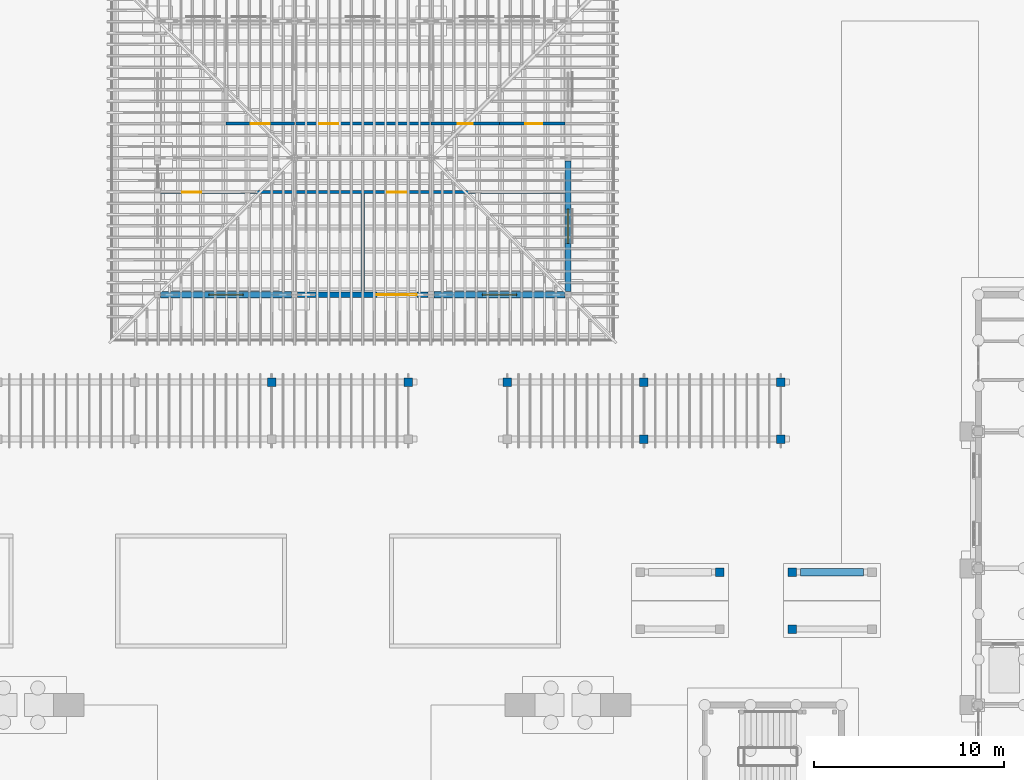
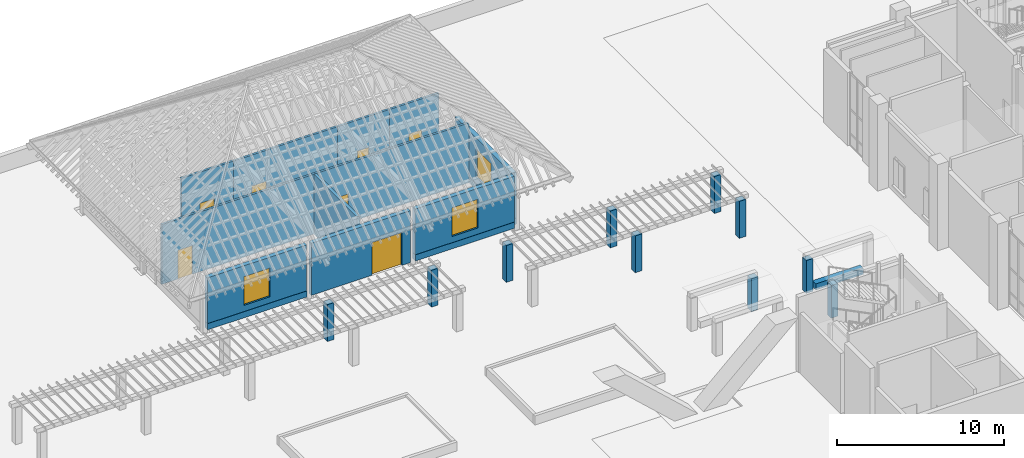
# One storey, part 40 of 84: 25 walls, 7 doors, 3 windows, 10 openings.
"""IFC4 building model written with IfcOpenShell, lengths in metres."""

from ifc_helpers import new_model, si_unit, direction, frame, frame_2d, origin, place, context, subcontext, project, spatial, rectangle, extrude, material, layer, layer_set, type_object, element, fill, save


model = new_model("IFC4")

# Units and contexts
model_context = context("Model", 3, precision=1e-05, world=origin(), true_north=direction((0.0, 1.0)))
body_context = subcontext(model_context, "Body", "Model", "MODEL_VIEW")
ifc_project = project(units=[si_unit("LENGTHUNIT", "METRE"), si_unit("AREAUNIT", "SQUARE_METRE"), si_unit("VOLUMEUNIT", "CUBIC_METRE"), si_unit("PLANEANGLEUNIT", "RADIAN"), si_unit("MASSUNIT", "GRAM", prefix="KILO")], contexts=[model_context])

# Site, building, storey
site_placement = place(None, origin())
site = spatial("IfcSite", under=ifc_project, at=site_placement, CompositionType="ELEMENT")
building_placement = place(site_placement, origin())
building = spatial("IfcBuilding", under=site, at=building_placement, Name="Mazhai Court Health Centre", CompositionType="ELEMENT")
storey_placement = place(building_placement, origin())
storey = spatial("IfcBuildingStorey", under=building, at=storey_placement, Name="L00", CompositionType="ELEMENT", Elevation=0.0)

# Walls
ifc_material_1 = material(Name="Clay brick masonry", Category="masonry")
ifc_layer_1 = layer(ifc_material_1, 0.449951171875)
ifc_layer_set_1 = layer_set([ifc_layer_1], Name="BRICK GARDEN PIER 450")
wall_type_1 = type_object("IfcWallType", Name="BRICK GARDEN PIER 450", PredefinedType="SOLIDWALL", material=ifc_layer_set_1)
wall_1_placement = place(storey_placement, frame((121.97509765625, 34.800048828125, 0.0), z_axis=(0.0, 0.0, 1.0), x_axis=(1.0, 0.0, 0.0)))
element("IfcWall", 1, at=wall_1_placement, inside=storey, type_object=wall_type_1, Name="Shelter A pier 11", PredefinedType="SOLIDWALL", context=body_context, shape_type="SweptSolid", body=[
    extrude(rectangle(XDim=0.449951171875, YDim=0.449951171875, at=frame_2d((0.22509765625, 0.0))), origin(), (0.0, 0.0, 1.0), 2.39990234375),
])
for number, where, z_axis, x_axis, name in (
    (2, (125.77490234375, 31.800048828125, 0.0), (0.0, 0.0, 1.0), (1.0, 0.0, 0.0), "Shelter B pier 00"),
    (3, (125.77490234375, 34.800048828125, 0.0), (0.0, 0.0, 1.0), (1.0, 0.0, 0.0), "Shelter B pier 10"),
):
    element("IfcWall", number, at=place(storey_placement, frame(where, z_axis=z_axis, x_axis=x_axis)), inside=storey, type_object=wall_type_1, Name=name, PredefinedType="SOLIDWALL", context=body_context, shape_type="SweptSolid", body=[
        extrude(rectangle(XDim=0.4501953125, YDim=0.449951171875, at=frame_2d((0.22509765625, 0.0))), origin(), (0.0, 0.0, 1.0), 2.39990234375),
    ])
for number, where, z_axis, x_axis, name in (
    (4, (98.375, 44.800048828125, 0.0), (0.0, 0.0, 1.0), (1.0, 0.0, 0.0), "Garden pier A13"),
    (5, (105.574951171875, 44.800048828125, 0.0), (0.0, 0.0, 1.0), (1.0, 0.0, 0.0), "Garden pier A14"),
    (6, (117.97509765625, 41.800048828125, 0.0), (0.0, 0.0, 1.0), (1.0, 0.0, 0.0), "Garden pier B01"),
    (7, (125.175048828125, 41.800048828125, 0.0), (0.0, 0.0, 1.0), (1.0, 0.0, 0.0), "Garden pier B02"),
):
    element("IfcWall", number, at=place(storey_placement, frame(where, z_axis=z_axis, x_axis=x_axis)), inside=storey, type_object=wall_type_1, Name=name, PredefinedType="SOLIDWALL", context=body_context, shape_type="SweptSolid", body=[
        extrude(rectangle(XDim=0.449951171875, YDim=0.449951171875, at=frame_2d((0.22509765625, 0.0))), origin(), (0.0, 0.0, 1.0), 2.699951171875),
    ])
wall_2_placement = place(storey_placement, frame((110.77490234375, 44.800048828125, 0.0), z_axis=(0.0, 0.0, 1.0), x_axis=(1.0, 0.0, 0.0)))
element("IfcWall", 8, at=wall_2_placement, inside=storey, type_object=wall_type_1, Name="Garden pier B10", PredefinedType="SOLIDWALL", context=body_context, shape_type="SweptSolid", body=[
    extrude(rectangle(XDim=0.4501953125, YDim=0.449951171875, at=frame_2d((0.22509765625, 0.0))), origin(), (0.0, 0.0, 1.0), 2.699951171875),
])
for number, where, z_axis, x_axis, name in (
    (9, (117.97509765625, 44.800048828125, 0.0), (0.0, 0.0, 1.0), (1.0, 0.0, 0.0), "Garden pier B11"),
    (10, (125.175048828125, 44.800048828125, 0.0), (0.0, 0.0, 1.0), (1.0, 0.0, 0.0), "Garden pier B12"),
):
    element("IfcWall", number, at=place(storey_placement, frame(where, z_axis=z_axis, x_axis=x_axis)), inside=storey, type_object=wall_type_1, Name=name, PredefinedType="SOLIDWALL", context=body_context, shape_type="SweptSolid", body=[
        extrude(rectangle(XDim=0.449951171875, YDim=0.449951171875, at=frame_2d((0.22509765625, 0.0))), origin(), (0.0, 0.0, 1.0), 2.699951171875),
    ])
ifc_material_2 = material(Name="Clay brick masonry", Category="masonry")
ifc_layer_2 = layer(ifc_material_2, 0.330078125)
ifc_layer_set_2 = layer_set([ifc_layer_2], Name="BRICK PLINTH 330")
wall_type_2 = type_object("IfcWallType", Name="BRICK PLINTH 330", PredefinedType="SOLIDWALL", material=ifc_layer_set_2)
wall_3_placement = place(storey_placement, frame((99.639892578125, 49.39990234375, 0.0), z_axis=(0.0, 0.0, 1.0), x_axis=(-1.0, 0.0, 0.0)))
element("IfcWall", 11, at=wall_3_placement, inside=storey, type_object=wall_type_2, Name="EW-V3-S0-pl", PredefinedType="SOLIDWALL", context=body_context, shape_type="SweptSolid", body=[
    extrude(rectangle(XDim=6.8798828125, YDim=0.330078125, at=frame_2d((3.43994140625, 0.0))), origin(), (0.0, 0.0, 1.0), 0.449951171875),
])
wall_4_placement = place(storey_placement, frame((114.0400390625, 49.39990234375, 0.0), z_axis=(0.0, 0.0, 1.0), x_axis=(-1.0, 0.0, 0.0)))
element("IfcWall", 12, at=wall_4_placement, inside=storey, type_object=wall_type_2, Name="EW-V3-S2-pl", PredefinedType="SOLIDWALL", context=body_context, shape_type="SweptSolid", body=[
    extrude(rectangle(XDim=6.880126953125, YDim=0.330078125, at=frame_2d((3.43994140625, 0.0))), origin(), (0.0, 0.0, 1.0), 0.449951171875),
])
wall_5_placement = place(storey_placement, frame((114.199951171875, 56.43994140625, 0.0), z_axis=(0.0, 0.0, 1.0), x_axis=(0.0, -1.0, 0.0)))
element("IfcWall", 13, at=wall_5_placement, inside=storey, type_object=wall_type_2, Name="EW-V3-E0-pl", PredefinedType="SOLIDWALL", context=body_context, shape_type="SweptSolid", body=[
    extrude(rectangle(XDim=6.8798828125, YDim=0.330078125, at=frame_2d((3.43994140625, 0.0))), origin(), (0.0, 0.0, 1.0), 0.449951171875),
])
ifc_material_3 = material(Name="Clay brick masonry", Category="masonry")
ifc_layer_3 = layer(ifc_material_3, 0.39990234375)
ifc_layer_set_3 = layer_set([ifc_layer_3], Name="BRICK SEAT WALL 400")
wall_type_3 = type_object("IfcWallType", Name="BRICK SEAT WALL 400", PredefinedType="SOLIDWALL", material=ifc_layer_set_3)
wall_6_placement = place(storey_placement, frame((126.449951171875, 34.800048828125, 0.0), z_axis=(0.0, 0.0, 1.0), x_axis=(1.0, 0.0, 0.0)))
element("IfcWall", 14, at=wall_6_placement, inside=storey, type_object=wall_type_3, Name="Shelter B seat wall", PredefinedType="SOLIDWALL", context=body_context, shape_type="SweptSolid", body=[
    extrude(rectangle(XDim=3.300048828125, YDim=0.39990234375, at=frame_2d((1.64990234375, 0.0))), origin(), (0.0, 0.0, 1.0), 0.449951171875),
])

# Wall, opening, door
ifc_material_4 = material(Name="Gypsum plasterboard partition")
ifc_layer_4 = layer(ifc_material_4, 0.14990234375)
ifc_layer_set_4 = layer_set([ifc_layer_4], Name="PARTITION 150 CORRIDOR EI60")
wall_type_4 = type_object("IfcWallType", Name="PARTITION 150 CORRIDOR EI60", PredefinedType="PARTITIONING", material=ifc_layer_set_4)
wall_7_placement = place(storey_placement, frame((103.39990234375, 54.800048828125, 0.0), z_axis=(0.0, 0.0, 1.0), x_axis=(-1.0, 0.0, 0.0)))
wall_7 = element("IfcWall", 15, at=wall_7_placement, inside=storey, type_object=wall_type_4, Name="wall-V3-L00-S-corr-0a", PredefinedType="PARTITIONING", context=body_context, shape_type="SweptSolid", body=[
    extrude(rectangle(XDim=10.635009765625, YDim=0.14990234375, at=frame_2d((5.3173828125, 0.0))), origin(), (0.0, 0.0, 1.0), 4.38232421875),
])
opening_1_placement = place(wall_7_placement, frame((8.5, 0.0, 0.0)))
opening_1 = element("IfcOpeningElement", 16, at=opening_1_placement, cuts=wall_7, Name="Opening D-L00-068", PredefinedType="OPENING", context=body_context, shape_type="SweptSolid", body=[
    extrude(rectangle(XDim=1.0, YDim=2.10009765625, at=frame_2d((0.5, 1.050048828125))), frame((0.0, 0.0849609375, 0.0), z_axis=(0.0, -1.0, 0.0), x_axis=(1.0, 0.0, 0.0)), (0.0, 0.0, 1.0), 0.169921875),
])
ifc_material_5 = material(Name="Hardwood door leaf", Category="wood")
door_type_1 = type_object("IfcDoorType", Name="DOOR 1000x2100 FD30S SINGLE", OperationType="NOTDEFINED", PredefinedType="DOOR", material=ifc_material_5)
door_1_placement = place(opening_1_placement, origin())
door_1 = element("IfcDoor", 17, at=door_1_placement, inside=storey, type_object=door_type_1, Name="door-V3-L00-S-group-therapy-room", OperationType="SINGLE_SWING_RIGHT", OverallHeight=2.10009765625, OverallWidth=1.0, PredefinedType="DOOR", context=body_context, shape_type="SweptSolid", body=[
    extrude(rectangle(XDim=1.0, YDim=2.10009765625, at=frame_2d((0.5, 1.050048828125))), frame((0.0, 0.02490234375, 0.0), z_axis=(0.0, -1.0, 0.0), x_axis=(1.0, 0.0, 0.0)), (0.0, 0.0, 1.0), 0.050048828125),
])
fill(opening_1, door_1)

wall_8_placement = place(storey_placement, frame((114.034912109375, 54.800048828125, 0.0), z_axis=(0.0, 0.0, 1.0), x_axis=(-1.0, 0.0, 0.0)))
wall_8 = element("IfcWall", 18, at=wall_8_placement, inside=storey, type_object=wall_type_4, Name="wall-V3-L00-S-corr-1a", PredefinedType="PARTITIONING", context=body_context, shape_type="SweptSolid", body=[
    extrude(rectangle(XDim=10.635009765625, YDim=0.14990234375, at=frame_2d((5.3173828125, 0.0))), origin(), (0.0, 0.0, 1.0), 4.38232421875),
])
opening_2_placement = place(wall_8_placement, frame((8.3349609375, 0.0, 0.0)))
opening_2 = element("IfcOpeningElement", 19, at=opening_2_placement, cuts=wall_8, Name="Opening D-L00-073", PredefinedType="OPENING", context=body_context, shape_type="SweptSolid", body=[
    extrude(rectangle(XDim=1.0, YDim=2.10009765625, at=frame_2d((0.5, 1.050048828125))), frame((0.0, 0.0849609375, 0.0), z_axis=(0.0, -1.0, 0.0), x_axis=(1.0, 0.0, 0.0)), (0.0, 0.0, 1.0), 0.169921875),
])
door_2_placement = place(opening_2_placement, origin())
door_2 = element("IfcDoor", 20, at=door_2_placement, inside=storey, type_object=door_type_1, Name="door-V3-L00-S-horticultural-therapy-workshop", OperationType="SINGLE_SWING_LEFT", OverallHeight=2.10009765625, OverallWidth=1.0, PredefinedType="DOOR", context=body_context, shape_type="SweptSolid", body=[
    extrude(rectangle(XDim=1.0, YDim=2.10009765625, at=frame_2d((0.5, 1.050048828125))), frame((0.0, 0.02490234375, 0.0), z_axis=(0.0, -1.0, 0.0), x_axis=(1.0, 0.0, 0.0)), (0.0, 0.0, 1.0), 0.050048828125),
])
fill(opening_2, door_2)

wall_9_placement = place(storey_placement, frame((96.199951171875, 58.39990234375, 0.0), z_axis=(0.0, 0.0, 1.0), x_axis=(1.0, 0.0, 0.0)))
wall_9 = element("IfcWall", 21, at=wall_9_placement, inside=storey, type_object=wall_type_4, Name="wall-V3-L00-N-corr-1a", PredefinedType="PARTITIONING", context=body_context, shape_type="SweptSolid", body=[
    extrude(rectangle(XDim=3.60009765625, YDim=0.14990234375, at=frame_2d((1.800048828125, 0.0))), origin(), (0.0, 0.0, 1.0), 4.38232421875),
])
opening_3_placement = place(wall_9_placement, frame((1.300048828125, 0.0, 0.0)))
opening_3 = element("IfcOpeningElement", 22, at=opening_3_placement, cuts=wall_9, Name="Opening D-L00-070", PredefinedType="OPENING", context=body_context, shape_type="SweptSolid", body=[
    extrude(rectangle(XDim=1.0, YDim=2.10009765625, at=frame_2d((0.5, 1.050048828125))), frame((0.0, 0.0849609375, 0.0), z_axis=(0.0, -1.0, 0.0), x_axis=(1.0, 0.0, 0.0)), (0.0, 0.0, 1.0), 0.169921875),
])
door_3_placement = place(opening_3_placement, origin())
door_3 = element("IfcDoor", 23, at=door_3_placement, inside=storey, type_object=door_type_1, Name="door-V3-L00-N-quiet-room-2", OperationType="SINGLE_SWING_RIGHT", OverallHeight=2.10009765625, OverallWidth=1.0, PredefinedType="DOOR", context=body_context, shape_type="SweptSolid", body=[
    extrude(rectangle(XDim=1.0, YDim=2.10009765625, at=frame_2d((0.5, 1.050048828125))), frame((0.0, 0.02490234375, 0.0), z_axis=(0.0, -1.0, 0.0), x_axis=(1.0, 0.0, 0.0)), (0.0, 0.0, 1.0), 0.050048828125),
])
fill(opening_3, door_3)

wall_10_placement = place(storey_placement, frame((99.800048828125, 58.39990234375, 0.0), z_axis=(0.0, 0.0, 1.0), x_axis=(1.0, 0.0, 0.0)))
wall_10 = element("IfcWall", 24, at=wall_10_placement, inside=storey, type_object=wall_type_4, Name="wall-V3-L00-N-corr-2a", PredefinedType="PARTITIONING", context=body_context, shape_type="SweptSolid", body=[
    extrude(rectangle(XDim=7.199951171875, YDim=0.14990234375, at=frame_2d((3.60009765625, 0.0))), origin(), (0.0, 0.0, 1.0), 4.38232421875),
])
opening_4_placement = place(wall_10_placement, frame((1.300048828125, 0.0, 0.0)))
opening_4 = element("IfcOpeningElement", 25, at=opening_4_placement, cuts=wall_10, Name="Opening D-L00-071", PredefinedType="OPENING", context=body_context, shape_type="SweptSolid", body=[
    extrude(rectangle(XDim=1.0, YDim=2.10009765625, at=frame_2d((0.5, 1.050048828125))), frame((0.0, 0.0849609375, 0.0), z_axis=(0.0, -1.0, 0.0), x_axis=(1.0, 0.0, 0.0)), (0.0, 0.0, 1.0), 0.169921875),
])
door_4_placement = place(opening_4_placement, origin())
door_4 = element("IfcDoor", 26, at=door_4_placement, inside=storey, type_object=door_type_1, Name="door-V3-L00-N-art-therapy-studio", OperationType="SINGLE_SWING_LEFT", OverallHeight=2.10009765625, OverallWidth=1.0, PredefinedType="DOOR", context=body_context, shape_type="SweptSolid", body=[
    extrude(rectangle(XDim=1.0, YDim=2.10009765625, at=frame_2d((0.5, 1.050048828125))), frame((0.0, 0.02490234375, 0.0), z_axis=(0.0, -1.0, 0.0), x_axis=(1.0, 0.0, 0.0)), (0.0, 0.0, 1.0), 0.050048828125),
])
fill(opening_4, door_4)

wall_11_placement = place(storey_placement, frame((107.0, 58.39990234375, 0.0), z_axis=(0.0, 0.0, 1.0), x_axis=(1.0, 0.0, 0.0)))
wall_11 = element("IfcWall", 27, at=wall_11_placement, inside=storey, type_object=wall_type_4, Name="wall-V3-L00-N-corr-3a", PredefinedType="PARTITIONING", context=body_context, shape_type="SweptSolid", body=[
    extrude(rectangle(XDim=3.60009765625, YDim=0.14990234375, at=frame_2d((1.800048828125, 0.0))), origin(), (0.0, 0.0, 1.0), 4.38232421875),
])
opening_5_placement = place(wall_11_placement, frame((1.39990234375, 0.0, 0.0)))
opening_5 = element("IfcOpeningElement", 28, at=opening_5_placement, cuts=wall_11, Name="Opening D-L00-074", PredefinedType="OPENING", context=body_context, shape_type="SweptSolid", body=[
    extrude(rectangle(XDim=0.800048828125, YDim=2.10009765625, at=frame_2d((0.39990234375, 1.050048828125))), frame((0.0, 0.0849609375, 0.0), z_axis=(0.0, -1.0, 0.0), x_axis=(1.0, 0.0, 0.0)), (0.0, 0.0, 1.0), 0.169921875),
])
ifc_material_6 = material(Name="Hardwood door leaf", Category="wood")
door_type_2 = type_object("IfcDoorType", Name="DOOR 800x2100 FD30S SINGLE", OperationType="NOTDEFINED", PredefinedType="DOOR", material=ifc_material_6)
door_5_placement = place(opening_5_placement, origin())
door_5 = element("IfcDoor", 29, at=door_5_placement, inside=storey, type_object=door_type_2, Name="door-V3-L00-N-tool-store", OperationType="SINGLE_SWING_LEFT", OverallHeight=2.10009765625, OverallWidth=0.800048828125, PredefinedType="DOOR", context=body_context, shape_type="SweptSolid", body=[
    extrude(rectangle(XDim=0.800048828125, YDim=2.10009765625, at=frame_2d((0.39990234375, 1.050048828125))), frame((0.0, 0.02490234375, 0.0), z_axis=(0.0, -1.0, 0.0), x_axis=(1.0, 0.0, 0.0)), (0.0, 0.0, 1.0), 0.050048828125),
])
fill(opening_5, door_5)

wall_12_placement = place(storey_placement, frame((114.034912109375, 58.39990234375, 0.0), z_axis=(0.0, 0.0, 1.0), x_axis=(-1.0, 0.0, 0.0)))
wall_12 = element("IfcWall", 30, at=wall_12_placement, inside=storey, type_object=wall_type_4, Name="wall-V3-L00-N-corr-4a", PredefinedType="PARTITIONING", context=body_context, shape_type="SweptSolid", body=[
    extrude(rectangle(XDim=3.434814453125, YDim=0.14990234375, at=frame_2d((1.71728515625, 0.0))), origin(), (0.0, 0.0, 1.0), 4.38232421875),
])
opening_6_placement = place(wall_12_placement, frame((1.18505859375, 0.0, 0.0)))
opening_6 = element("IfcOpeningElement", 31, at=opening_6_placement, cuts=wall_12, Name="Opening D-L00-075", PredefinedType="OPENING", context=body_context, shape_type="SweptSolid", body=[
    extrude(rectangle(XDim=0.89990234375, YDim=2.10009765625, at=frame_2d((0.449951171875, 1.050048828125))), frame((0.0, 0.0849609375, 0.0), z_axis=(0.0, -1.0, 0.0), x_axis=(1.0, 0.0, 0.0)), (0.0, 0.0, 1.0), 0.169921875),
])
ifc_material_7 = material(Name="Hardwood door leaf", Category="wood")
door_type_3 = type_object("IfcDoorType", Name="DOOR 900x2100 FD30S SINGLE", OperationType="NOTDEFINED", PredefinedType="DOOR", material=ifc_material_7)
door_6_placement = place(opening_6_placement, origin())
door_6 = element("IfcDoor", 32, at=door_6_placement, inside=storey, type_object=door_type_3, Name="door-V3-L00-N-accessible-wc", OperationType="SINGLE_SWING_LEFT", OverallHeight=2.10009765625, OverallWidth=0.89990234375, PredefinedType="DOOR", context=body_context, shape_type="SweptSolid", body=[
    extrude(rectangle(XDim=0.89990234375, YDim=2.10009765625, at=frame_2d((0.449951171875, 1.050048828125))), frame((0.0, 0.02490234375, 0.0), z_axis=(0.0, -1.0, 0.0), x_axis=(1.0, 0.0, 0.0)), (0.0, 0.0, 1.0), 0.050048828125),
])
fill(opening_6, door_6)

# Wall
ifc_material_8 = material(Name="Gypsum plasterboard partition")
ifc_layer_5 = layer(ifc_material_8, 0.199951171875)
ifc_layer_set_5 = layer_set([ifc_layer_5], Name="PARTITION 200 ACOUSTIC EI30")
wall_type_5 = type_object("IfcWallType", Name="PARTITION 200 ACOUSTIC EI30", PredefinedType="PARTITIONING", material=ifc_layer_set_5)
wall_13_placement = place(storey_placement, frame((103.39990234375, 49.56494140625, 0.0), z_axis=(0.0, 0.0, 1.0), x_axis=(0.0, 1.0, 0.0)))
element("IfcWall", 33, at=wall_13_placement, inside=storey, type_object=wall_type_5, Name="wall-V3-L00-S-cross-1a", PredefinedType="PARTITIONING", context=body_context, shape_type="SweptSolid", body=[
    extrude(rectangle(XDim=5.16015625, YDim=0.199951171875, at=frame_2d((2.580078125, 0.0))), origin(), (0.0, 0.0, 1.0), 4.38232421875),
])

# Wall, opening, window
ifc_material_9 = material(Name="Teak timber cladding on timber frame", Category="wood")
ifc_layer_6 = layer(ifc_material_9, 0.300048828125)
ifc_layer_set_6 = layer_set([ifc_layer_6], Name="TIMBER CLAD WALL 300")
wall_type_6 = type_object("IfcWallType", Name="TIMBER CLAD WALL 300", PredefinedType="PARTITIONING", material=ifc_layer_set_6)
wall_14_placement = place(storey_placement, frame((99.639892578125, 49.39990234375, 0.449951171875), z_axis=(0.0, 0.0, 1.0), x_axis=(-1.0, 0.0, 0.0)))
wall_14 = element("IfcWall", 34, at=wall_14_placement, inside=storey, type_object=wall_type_6, Name="EW-V3-S0", PredefinedType="PARTITIONING", context=body_context, shape_type="SweptSolid", body=[
    extrude(rectangle(XDim=6.8798828125, YDim=0.300048828125, at=frame_2d((3.43994140625, 0.0))), origin(), (0.0, 0.0, 1.0), 3.35009765625),
])
opening_7_placement = place(wall_14_placement, frame((2.5400390625, 0.0, 0.449951171875)))
opening_7 = element("IfcOpeningElement", 35, at=opening_7_placement, cuts=wall_14, Name="Opening W6", PredefinedType="OPENING", context=body_context, shape_type="SweptSolid", body=[
    extrude(rectangle(XDim=1.800048828125, YDim=2.10009765625, at=frame_2d((0.89990234375, 1.050048828125))), frame((0.0, 0.159912109375, 0.0), z_axis=(0.0, -1.0, 0.0), x_axis=(1.0, 0.0, 0.0)), (0.0, 0.0, 1.0), 0.320068359375),
])
ifc_material_10 = material(Name="Teak timber frame, glazed", Category="wood")
window_type = type_object("IfcWindowType", Name="WINDOW PAVILION 1800x2100", PartitioningType="SINGLE_PANEL", PredefinedType="WINDOW", material=ifc_material_10)
window_1_placement = place(opening_7_placement, origin())
window_1 = element("IfcWindow", 36, at=window_1_placement, inside=storey, type_object=window_type, Name="W6 WN-V3-S0", OverallHeight=2.10009765625, OverallWidth=1.800048828125, PartitioningType="SINGLE_PANEL", PredefinedType="WINDOW", context=body_context, shape_type="SweptSolid", body=[
    extrude(rectangle(XDim=1.800048828125, YDim=2.10009765625, at=frame_2d((0.89990234375, 1.050048828125))), frame((0.0, 0.030029296875, 0.0), z_axis=(0.0, -1.0, 0.0), x_axis=(1.0, 0.0, 0.0)), (0.0, 0.0, 1.0), 0.06005859375),
])
fill(opening_7, window_1)

# Wall, opening, door
wall_15_placement = place(storey_placement, frame((106.840087890625, 49.39990234375, 0.0), z_axis=(0.0, 0.0, 1.0), x_axis=(-1.0, 0.0, 0.0)))
wall_15 = element("IfcWall", 37, at=wall_15_placement, inside=storey, type_object=wall_type_6, Name="EW-V3-S1", PredefinedType="PARTITIONING", context=body_context, shape_type="SweptSolid", body=[
    extrude(rectangle(XDim=6.880126953125, YDim=0.300048828125, at=frame_2d((3.43994140625, 0.0))), origin(), (0.0, 0.0, 1.0), 3.800048828125),
])
opening_8_placement = place(wall_15_placement, frame((0.590087890625, 0.0, 0.0)))
opening_8 = element("IfcOpeningElement", 38, at=opening_8_placement, cuts=wall_15, Name="Opening D-L00-072", PredefinedType="OPENING", context=body_context, shape_type="SweptSolid", body=[
    extrude(rectangle(XDim=2.10009765625, YDim=2.39990234375, at=frame_2d((1.050048828125, 1.199951171875))), frame((0.0, 0.159912109375, 0.0), z_axis=(0.0, -1.0, 0.0), x_axis=(1.0, 0.0, 0.0)), (0.0, 0.0, 1.0), 0.320068359375),
])
ifc_material_11 = material(Name="Teak timber door, glazed", Category="wood")
door_type_4 = type_object("IfcDoorType", Name="DOOR GARDEN DOUBLE 2100x2400", OperationType="DOUBLE_DOOR_SINGLE_SWING", PredefinedType="DOOR", material=ifc_material_11)
door_7_placement = place(opening_8_placement, origin())
door_7 = element("IfcDoor", 39, at=door_7_placement, inside=storey, type_object=door_type_4, Name="L00-E17", OperationType="DOUBLE_DOOR_SINGLE_SWING", OverallHeight=2.39990234375, OverallWidth=2.10009765625, PredefinedType="DOOR", context=body_context, shape_type="SweptSolid", body=[
    extrude(rectangle(XDim=2.10009765625, YDim=2.39990234375, at=frame_2d((1.050048828125, 1.199951171875))), frame((0.0, 0.02490234375, 0.0), z_axis=(0.0, -1.0, 0.0), x_axis=(1.0, 0.0, 0.0)), (0.0, 0.0, 1.0), 0.050048828125),
])
fill(opening_8, door_7)

# Wall, opening, window
wall_16_placement = place(storey_placement, frame((114.0400390625, 49.39990234375, 0.449951171875), z_axis=(0.0, 0.0, 1.0), x_axis=(-1.0, 0.0, 0.0)))
wall_16 = element("IfcWall", 40, at=wall_16_placement, inside=storey, type_object=wall_type_6, Name="EW-V3-S2", PredefinedType="PARTITIONING", context=body_context, shape_type="SweptSolid", body=[
    extrude(rectangle(XDim=6.880126953125, YDim=0.300048828125, at=frame_2d((3.43994140625, 0.0))), origin(), (0.0, 0.0, 1.0), 3.35009765625),
])
opening_9_placement = place(wall_16_placement, frame((2.5400390625, 0.0, 0.449951171875)))
opening_9 = element("IfcOpeningElement", 41, at=opening_9_placement, cuts=wall_16, Name="Opening W6", PredefinedType="OPENING", context=body_context, shape_type="SweptSolid", body=[
    extrude(rectangle(XDim=1.800048828125, YDim=2.10009765625, at=frame_2d((0.89990234375, 1.050048828125))), frame((0.0, 0.159912109375, 0.0), z_axis=(0.0, -1.0, 0.0), x_axis=(1.0, 0.0, 0.0)), (0.0, 0.0, 1.0), 0.320068359375),
])
window_2_placement = place(opening_9_placement, origin())
window_2 = element("IfcWindow", 42, at=window_2_placement, inside=storey, type_object=window_type, Name="W6 WN-V3-S2", OverallHeight=2.10009765625, OverallWidth=1.800048828125, PartitioningType="SINGLE_PANEL", PredefinedType="WINDOW", context=body_context, shape_type="SweptSolid", body=[
    extrude(rectangle(XDim=1.800048828125, YDim=2.10009765625, at=frame_2d((0.89990234375, 1.050048828125))), frame((0.0, 0.030029296875, 0.0), z_axis=(0.0, -1.0, 0.0), x_axis=(1.0, 0.0, 0.0)), (0.0, 0.0, 1.0), 0.06005859375),
])
fill(opening_9, window_2)

wall_17_placement = place(storey_placement, frame((114.199951171875, 56.43994140625, 0.449951171875), z_axis=(0.0, 0.0, 1.0), x_axis=(0.0, -1.0, 0.0)))
wall_17 = element("IfcWall", 43, at=wall_17_placement, inside=storey, type_object=wall_type_6, Name="EW-V3-E0", PredefinedType="PARTITIONING", context=body_context, shape_type="SweptSolid", body=[
    extrude(rectangle(XDim=6.8798828125, YDim=0.300048828125, at=frame_2d((3.43994140625, 0.0))), origin(), (0.0, 0.0, 1.0), 3.35009765625),
])
opening_10_placement = place(wall_17_placement, frame((2.5400390625, 0.0, 0.449951171875)))
opening_10 = element("IfcOpeningElement", 44, at=opening_10_placement, cuts=wall_17, Name="Opening W6", PredefinedType="OPENING", context=body_context, shape_type="SweptSolid", body=[
    extrude(rectangle(XDim=1.800048828125, YDim=2.10009765625, at=frame_2d((0.89990234375, 1.050048828125))), frame((0.0, 0.159912109375, 0.0), z_axis=(0.0, -1.0, 0.0), x_axis=(1.0, 0.0, 0.0)), (0.0, 0.0, 1.0), 0.320068359375),
])
window_3_placement = place(opening_10_placement, origin())
window_3 = element("IfcWindow", 45, at=window_3_placement, inside=storey, type_object=window_type, Name="W6 WN-V3-E0", OverallHeight=2.10009765625, OverallWidth=1.800048828125, PartitioningType="SINGLE_PANEL", PredefinedType="WINDOW", context=body_context, shape_type="SweptSolid", body=[
    extrude(rectangle(XDim=1.800048828125, YDim=2.10009765625, at=frame_2d((0.89990234375, 1.050048828125))), frame((0.0, 0.030029296875, 0.0), z_axis=(0.0, -1.0, 0.0), x_axis=(1.0, 0.0, 0.0)), (0.0, 0.0, 1.0), 0.06005859375),
])
fill(opening_10, window_3)

save(model, "model.ifc")
